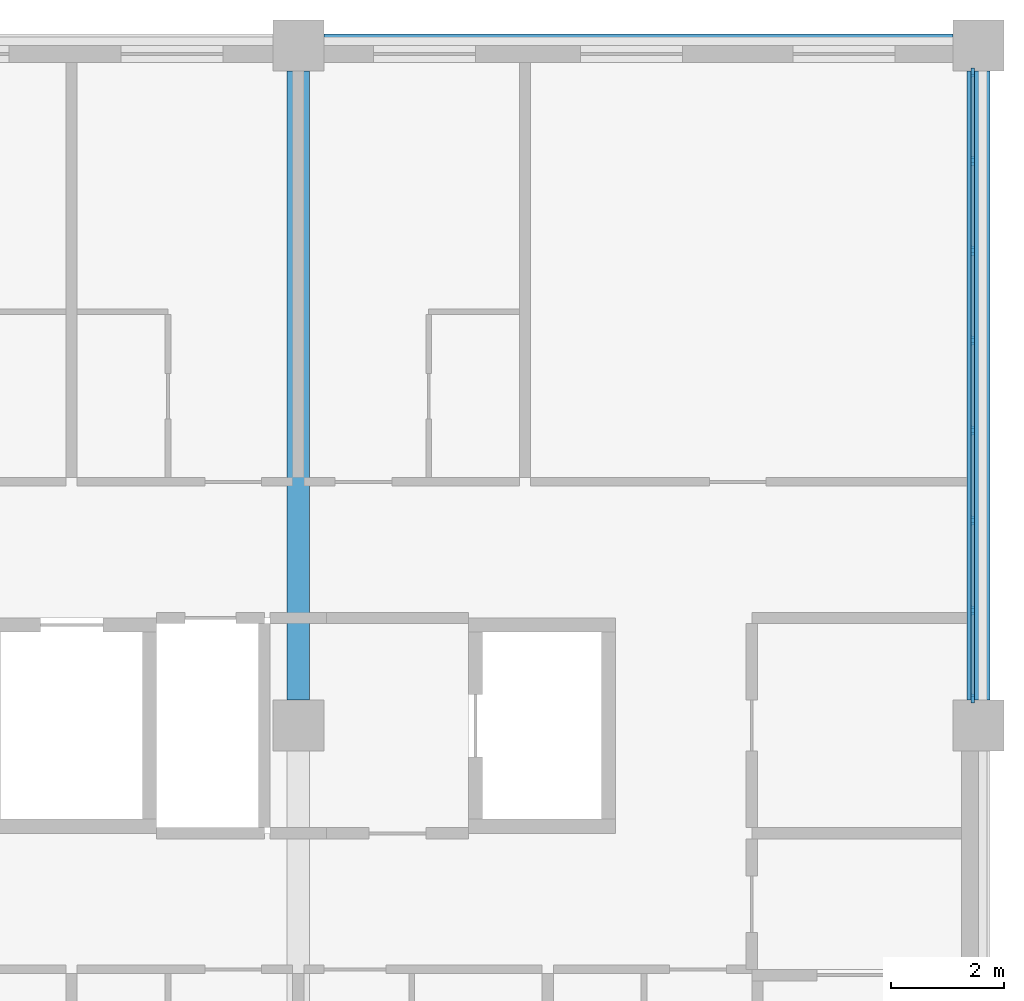
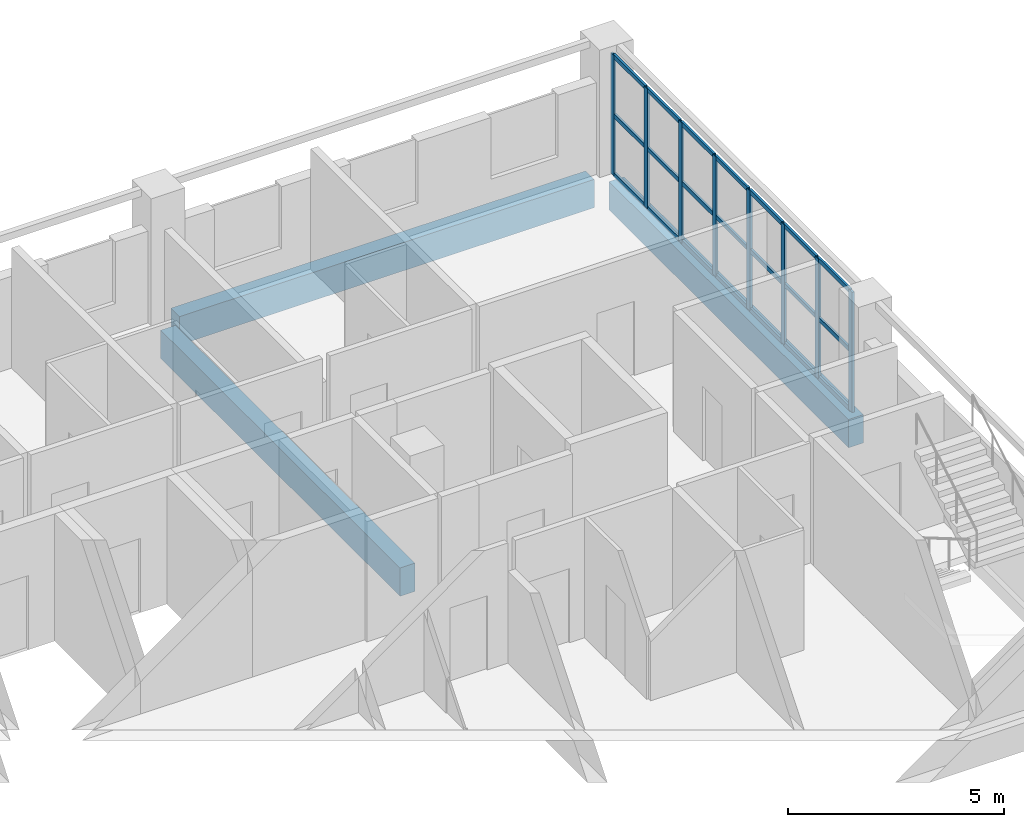
# One storey, part 4 of 11: 29 members, 3 beams, 1 element without a shape of its own.
"""IFC4 building model written with IfcOpenShell, lengths in metres."""

from ifc_helpers import new_model, si_unit, direction, frame, origin, origin_2d, place, context, subcontext, project, spatial, rectangle, extrude, material, layer, layer_set, material_profile, profile_set, type_object, element, aggregate, save


model = new_model("IFC4")

# Units and contexts
model_context = context("Model", 3, precision=1e-05, world=origin(), true_north=direction((0.0, 1.0)))
body_context = subcontext(model_context, "Body", "Model", "MODEL_VIEW")
ifc_project = project(units=[si_unit("LENGTHUNIT", "METRE"), si_unit("AREAUNIT", "SQUARE_METRE"), si_unit("VOLUMEUNIT", "CUBIC_METRE"), si_unit("PLANEANGLEUNIT", "RADIAN"), si_unit("MASSUNIT", "GRAM", prefix="KILO")], contexts=[model_context])

# Site, building, storey
site_placement = place(None, origin())
site = spatial("IfcSite", under=ifc_project, at=site_placement, CompositionType="ELEMENT")
building_placement = place(site_placement, origin())
building = spatial("IfcBuilding", under=site, at=building_placement, Name="Lilac Gate Convention Centre", CompositionType="ELEMENT")
storey_placement = place(building_placement, frame((0.0, 0.0, 24.60009765625)))
storey = spatial("IfcBuildingStorey", under=building, at=storey_placement, Name="L05", CompositionType="ELEMENT", Elevation=24.60009765625)

# Curtain wall, members
ifc_material_1 = material(Name="Aluminium framed double glazing", Category="aluminium")
ifc_layer = layer(ifc_material_1, 0.199951171875)
ifc_layer_set = layer_set([ifc_layer], Name="Aluminium framed double glazing")
curtain_wall_type = type_object("IfcCurtainWallType", Name="Unitised curtain wall 1500", PredefinedType="NOTDEFINED", material=ifc_layer_set)
curtain_wall_placement = place(storey_placement, origin())
curtain_wall = element("IfcCurtainWall", 1, at=curtain_wall_placement, inside=storey, type_object=curtain_wall_type, Name="Curtain wall E L05 2", PredefinedType="NOTDEFINED")
ifc_material_2 = material(Name="Aluminium alloy 6063", Category="aluminium")
ifc_material_profile_1 = material_profile(ifc_material_2, rectangle(XDim=0.06005859375, YDim=0.159912109375, at=origin_2d()), Name="Curtain wall mullion 60 x 160")
ifc_profile_set_1 = profile_set([ifc_material_profile_1], Name="Aluminium alloy 6063")
member_type_1 = type_object("IfcMemberType", Name="Curtain wall mullion 60 x 160", PredefinedType="MULLION", material=ifc_profile_set_1)
member_1_placement = place(storey_placement, frame((89.89990234375, 234.47998046875, 0.0), z_axis=(0.0, 0.0, 1.0), x_axis=(-1.0, 0.0, 0.0)))
member_1 = element("IfcMember", 2, at=member_1_placement, type_object=member_type_1, Name="CW mullion 1", PredefinedType="MULLION", context=body_context, shape_type="SweptSolid", body=[
    extrude(rectangle(XDim=0.06005859375, YDim=0.159912109375, at=origin_2d()), origin(), (0.0, 0.0, 1.0), 3.39990234375),
])
member_2_placement = place(storey_placement, frame((89.89990234375, 236.03564453125, 0.0), z_axis=(0.0, 0.0, 1.0), x_axis=(-1.0, 0.0, 0.0)))
member_2 = element("IfcMember", 3, at=member_2_placement, type_object=member_type_1, Name="CW mullion 2", PredefinedType="MULLION", context=body_context, shape_type="SweptSolid", body=[
    extrude(rectangle(XDim=0.06005859375, YDim=0.159912109375, at=origin_2d()), origin(), (0.0, 0.0, 1.0), 3.39990234375),
])
member_3_placement = place(storey_placement, frame((89.89990234375, 237.621337890625, 0.0), z_axis=(0.0, 0.0, 1.0), x_axis=(-1.0, 0.0, 0.0)))
member_3 = element("IfcMember", 4, at=member_3_placement, type_object=member_type_1, Name="CW mullion 3", PredefinedType="MULLION", context=body_context, shape_type="SweptSolid", body=[
    extrude(rectangle(XDim=0.06005859375, YDim=0.159912109375, at=origin_2d()), origin(), (0.0, 0.0, 1.0), 3.39990234375),
])
member_4_placement = place(storey_placement, frame((89.89990234375, 239.20703125, 0.0), z_axis=(0.0, 0.0, 1.0), x_axis=(-1.0, 0.0, 0.0)))
member_4 = element("IfcMember", 5, at=member_4_placement, type_object=member_type_1, Name="CW mullion 4", PredefinedType="MULLION", context=body_context, shape_type="SweptSolid", body=[
    extrude(rectangle(XDim=0.06005859375, YDim=0.159912109375, at=origin_2d()), origin(), (0.0, 0.0, 1.0), 3.39990234375),
])
member_5_placement = place(storey_placement, frame((89.89990234375, 240.79296875, 0.0), z_axis=(0.0, 0.0, 1.0), x_axis=(-1.0, 0.0, 0.0)))
member_5 = element("IfcMember", 6, at=member_5_placement, type_object=member_type_1, Name="CW mullion 5", PredefinedType="MULLION", context=body_context, shape_type="SweptSolid", body=[
    extrude(rectangle(XDim=0.06005859375, YDim=0.159912109375, at=origin_2d()), origin(), (0.0, 0.0, 1.0), 3.39990234375),
])
member_6_placement = place(storey_placement, frame((89.89990234375, 242.378662109375, 0.0), z_axis=(0.0, 0.0, 1.0), x_axis=(-1.0, 0.0, 0.0)))
member_6 = element("IfcMember", 7, at=member_6_placement, type_object=member_type_1, Name="CW mullion 6", PredefinedType="MULLION", context=body_context, shape_type="SweptSolid", body=[
    extrude(rectangle(XDim=0.06005859375, YDim=0.159912109375, at=origin_2d()), origin(), (0.0, 0.0, 1.0), 3.39990234375),
])
member_7_placement = place(storey_placement, frame((89.89990234375, 243.96435546875, 0.0), z_axis=(0.0, 0.0, 1.0), x_axis=(-1.0, 0.0, 0.0)))
member_7 = element("IfcMember", 8, at=member_7_placement, type_object=member_type_1, Name="CW mullion 7", PredefinedType="MULLION", context=body_context, shape_type="SweptSolid", body=[
    extrude(rectangle(XDim=0.06005859375, YDim=0.159912109375, at=origin_2d()), origin(), (0.0, 0.0, 1.0), 3.39990234375),
])
member_8_placement = place(storey_placement, frame((89.89990234375, 245.52001953125, 0.0), z_axis=(0.0, 0.0, 1.0), x_axis=(-1.0, 0.0, 0.0)))
member_8 = element("IfcMember", 9, at=member_8_placement, type_object=member_type_1, Name="CW mullion 8", PredefinedType="MULLION", context=body_context, shape_type="SweptSolid", body=[
    extrude(rectangle(XDim=0.06005859375, YDim=0.159912109375, at=origin_2d()), origin(), (0.0, 0.0, 1.0), 3.39990234375),
])
ifc_material_profile_2 = material_profile(ifc_material_2, rectangle(XDim=0.06005859375, YDim=0.1201171875, at=origin_2d()), Name="Curtain wall transom 60 x 120")
ifc_profile_set_2 = profile_set([ifc_material_profile_2], Name="Aluminium alloy 6063")
member_type_2 = type_object("IfcMemberType", Name="Curtain wall transom 60 x 120", PredefinedType="USERDEFINED", material=ifc_profile_set_2)
member_9_placement = place(storey_placement, frame((89.89990234375, 234.510009765625, 0.030029296875), z_axis=(0.0, 1.0, 0.0), x_axis=(-1.0, 0.0, 0.0)))
member_9 = element("IfcMember", 10, at=member_9_placement, type_object=member_type_2, Name="CW transom 1.1", ObjectType="TRANSOM", PredefinedType="USERDEFINED", context=body_context, shape_type="SweptSolid", body=[
    extrude(rectangle(XDim=0.06005859375, YDim=0.1201171875, at=origin_2d()), origin(), (0.0, 0.0, 1.0), 1.49560546875),
])
member_10_placement = place(storey_placement, frame((89.89990234375, 234.510009765625, 1.699951171875), z_axis=(0.0, 1.0, 0.0), x_axis=(-1.0, 0.0, 0.0)))
member_10 = element("IfcMember", 11, at=member_10_placement, type_object=member_type_2, Name="CW transom 1.2", ObjectType="TRANSOM", PredefinedType="USERDEFINED", context=body_context, shape_type="SweptSolid", body=[
    extrude(rectangle(XDim=0.06005859375, YDim=0.1201171875, at=origin_2d()), origin(), (0.0, 0.0, 1.0), 1.49560546875),
])
member_11_placement = place(storey_placement, frame((89.89990234375, 234.510009765625, 3.369873046875), z_axis=(0.0, 1.0, 0.0), x_axis=(-1.0, 0.0, 0.0)))
member_11 = element("IfcMember", 12, at=member_11_placement, type_object=member_type_2, Name="CW transom 1.3", ObjectType="TRANSOM", PredefinedType="USERDEFINED", context=body_context, shape_type="SweptSolid", body=[
    extrude(rectangle(XDim=0.06005859375, YDim=0.1201171875, at=origin_2d()), origin(), (0.0, 0.0, 1.0), 1.49560546875),
])
member_12_placement = place(storey_placement, frame((89.89990234375, 236.065673828125, 0.030029296875), z_axis=(0.0, 1.0, 0.0), x_axis=(-1.0, 0.0, 0.0)))
member_12 = element("IfcMember", 13, at=member_12_placement, type_object=member_type_2, Name="CW transom 2.1", ObjectType="TRANSOM", PredefinedType="USERDEFINED", context=body_context, shape_type="SweptSolid", body=[
    extrude(rectangle(XDim=0.06005859375, YDim=0.1201171875, at=origin_2d()), origin(), (0.0, 0.0, 1.0), 1.525634765625),
])
member_13_placement = place(storey_placement, frame((89.89990234375, 236.065673828125, 1.699951171875), z_axis=(0.0, 1.0, 0.0), x_axis=(-1.0, 0.0, 0.0)))
member_13 = element("IfcMember", 14, at=member_13_placement, type_object=member_type_2, Name="CW transom 2.2", ObjectType="TRANSOM", PredefinedType="USERDEFINED", context=body_context, shape_type="SweptSolid", body=[
    extrude(rectangle(XDim=0.06005859375, YDim=0.1201171875, at=origin_2d()), origin(), (0.0, 0.0, 1.0), 1.525634765625),
])
member_14_placement = place(storey_placement, frame((89.89990234375, 236.065673828125, 3.369873046875), z_axis=(0.0, 1.0, 0.0), x_axis=(-1.0, 0.0, 0.0)))
member_14 = element("IfcMember", 15, at=member_14_placement, type_object=member_type_2, Name="CW transom 2.3", ObjectType="TRANSOM", PredefinedType="USERDEFINED", context=body_context, shape_type="SweptSolid", body=[
    extrude(rectangle(XDim=0.06005859375, YDim=0.1201171875, at=origin_2d()), origin(), (0.0, 0.0, 1.0), 1.525634765625),
])
member_15_placement = place(storey_placement, frame((89.89990234375, 237.6513671875, 0.030029296875), z_axis=(0.0, 1.0, 0.0), x_axis=(-1.0, 0.0, 0.0)))
member_15 = element("IfcMember", 16, at=member_15_placement, type_object=member_type_2, Name="CW transom 3.1", ObjectType="TRANSOM", PredefinedType="USERDEFINED", context=body_context, shape_type="SweptSolid", body=[
    extrude(rectangle(XDim=0.06005859375, YDim=0.1201171875, at=origin_2d()), origin(), (0.0, 0.0, 1.0), 1.52587890625),
])
member_16_placement = place(storey_placement, frame((89.89990234375, 237.6513671875, 1.699951171875), z_axis=(0.0, 1.0, 0.0), x_axis=(-1.0, 0.0, 0.0)))
member_16 = element("IfcMember", 17, at=member_16_placement, type_object=member_type_2, Name="CW transom 3.2", ObjectType="TRANSOM", PredefinedType="USERDEFINED", context=body_context, shape_type="SweptSolid", body=[
    extrude(rectangle(XDim=0.06005859375, YDim=0.1201171875, at=origin_2d()), origin(), (0.0, 0.0, 1.0), 1.52587890625),
])
member_17_placement = place(storey_placement, frame((89.89990234375, 237.6513671875, 3.369873046875), z_axis=(0.0, 1.0, 0.0), x_axis=(-1.0, 0.0, 0.0)))
member_17 = element("IfcMember", 18, at=member_17_placement, type_object=member_type_2, Name="CW transom 3.3", ObjectType="TRANSOM", PredefinedType="USERDEFINED", context=body_context, shape_type="SweptSolid", body=[
    extrude(rectangle(XDim=0.06005859375, YDim=0.1201171875, at=origin_2d()), origin(), (0.0, 0.0, 1.0), 1.52587890625),
])
member_18_placement = place(storey_placement, frame((89.89990234375, 239.237060546875, 0.030029296875), z_axis=(0.0, 1.0, 0.0), x_axis=(-1.0, 0.0, 0.0)))
member_18 = element("IfcMember", 19, at=member_18_placement, type_object=member_type_2, Name="CW transom 4.1", ObjectType="TRANSOM", PredefinedType="USERDEFINED", context=body_context, shape_type="SweptSolid", body=[
    extrude(rectangle(XDim=0.06005859375, YDim=0.1201171875, at=origin_2d()), origin(), (0.0, 0.0, 1.0), 1.52587890625),
])
member_19_placement = place(storey_placement, frame((89.89990234375, 239.237060546875, 1.699951171875), z_axis=(0.0, 1.0, 0.0), x_axis=(-1.0, 0.0, 0.0)))
member_19 = element("IfcMember", 20, at=member_19_placement, type_object=member_type_2, Name="CW transom 4.2", ObjectType="TRANSOM", PredefinedType="USERDEFINED", context=body_context, shape_type="SweptSolid", body=[
    extrude(rectangle(XDim=0.06005859375, YDim=0.1201171875, at=origin_2d()), origin(), (0.0, 0.0, 1.0), 1.52587890625),
])
member_20_placement = place(storey_placement, frame((89.89990234375, 239.237060546875, 3.369873046875), z_axis=(0.0, 1.0, 0.0), x_axis=(-1.0, 0.0, 0.0)))
member_20 = element("IfcMember", 21, at=member_20_placement, type_object=member_type_2, Name="CW transom 4.3", ObjectType="TRANSOM", PredefinedType="USERDEFINED", context=body_context, shape_type="SweptSolid", body=[
    extrude(rectangle(XDim=0.06005859375, YDim=0.1201171875, at=origin_2d()), origin(), (0.0, 0.0, 1.0), 1.52587890625),
])
member_21_placement = place(storey_placement, frame((89.89990234375, 240.82275390625, 0.030029296875), z_axis=(0.0, 1.0, 0.0), x_axis=(-1.0, 0.0, 0.0)))
member_21 = element("IfcMember", 22, at=member_21_placement, type_object=member_type_2, Name="CW transom 5.1", ObjectType="TRANSOM", PredefinedType="USERDEFINED", context=body_context, shape_type="SweptSolid", body=[
    extrude(rectangle(XDim=0.06005859375, YDim=0.1201171875, at=origin_2d()), origin(), (0.0, 0.0, 1.0), 1.52587890625),
])
member_22_placement = place(storey_placement, frame((89.89990234375, 240.82275390625, 1.699951171875), z_axis=(0.0, 1.0, 0.0), x_axis=(-1.0, 0.0, 0.0)))
member_22 = element("IfcMember", 23, at=member_22_placement, type_object=member_type_2, Name="CW transom 5.2", ObjectType="TRANSOM", PredefinedType="USERDEFINED", context=body_context, shape_type="SweptSolid", body=[
    extrude(rectangle(XDim=0.06005859375, YDim=0.1201171875, at=origin_2d()), origin(), (0.0, 0.0, 1.0), 1.52587890625),
])
member_23_placement = place(storey_placement, frame((89.89990234375, 240.82275390625, 3.369873046875), z_axis=(0.0, 1.0, 0.0), x_axis=(-1.0, 0.0, 0.0)))
member_23 = element("IfcMember", 24, at=member_23_placement, type_object=member_type_2, Name="CW transom 5.3", ObjectType="TRANSOM", PredefinedType="USERDEFINED", context=body_context, shape_type="SweptSolid", body=[
    extrude(rectangle(XDim=0.06005859375, YDim=0.1201171875, at=origin_2d()), origin(), (0.0, 0.0, 1.0), 1.52587890625),
])
member_24_placement = place(storey_placement, frame((89.89990234375, 242.40869140625, 0.030029296875), z_axis=(0.0, 1.0, 0.0), x_axis=(-1.0, 0.0, 0.0)))
member_24 = element("IfcMember", 25, at=member_24_placement, type_object=member_type_2, Name="CW transom 6.1", ObjectType="TRANSOM", PredefinedType="USERDEFINED", context=body_context, shape_type="SweptSolid", body=[
    extrude(rectangle(XDim=0.06005859375, YDim=0.1201171875, at=origin_2d()), origin(), (0.0, 0.0, 1.0), 1.525634765625),
])
member_25_placement = place(storey_placement, frame((89.89990234375, 242.40869140625, 1.699951171875), z_axis=(0.0, 1.0, 0.0), x_axis=(-1.0, 0.0, 0.0)))
member_25 = element("IfcMember", 26, at=member_25_placement, type_object=member_type_2, Name="CW transom 6.2", ObjectType="TRANSOM", PredefinedType="USERDEFINED", context=body_context, shape_type="SweptSolid", body=[
    extrude(rectangle(XDim=0.06005859375, YDim=0.1201171875, at=origin_2d()), origin(), (0.0, 0.0, 1.0), 1.525634765625),
])
member_26_placement = place(storey_placement, frame((89.89990234375, 242.40869140625, 3.369873046875), z_axis=(0.0, 1.0, 0.0), x_axis=(-1.0, 0.0, 0.0)))
member_26 = element("IfcMember", 27, at=member_26_placement, type_object=member_type_2, Name="CW transom 6.3", ObjectType="TRANSOM", PredefinedType="USERDEFINED", context=body_context, shape_type="SweptSolid", body=[
    extrude(rectangle(XDim=0.06005859375, YDim=0.1201171875, at=origin_2d()), origin(), (0.0, 0.0, 1.0), 1.525634765625),
])
member_27_placement = place(storey_placement, frame((89.89990234375, 243.994384765625, 0.030029296875), z_axis=(0.0, 1.0, 0.0), x_axis=(-1.0, 0.0, 0.0)))
member_27 = element("IfcMember", 28, at=member_27_placement, type_object=member_type_2, Name="CW transom 7.1", ObjectType="TRANSOM", PredefinedType="USERDEFINED", context=body_context, shape_type="SweptSolid", body=[
    extrude(rectangle(XDim=0.06005859375, YDim=0.1201171875, at=origin_2d()), origin(), (0.0, 0.0, 1.0), 1.49560546875),
])
member_28_placement = place(storey_placement, frame((89.89990234375, 243.994384765625, 1.699951171875), z_axis=(0.0, 1.0, 0.0), x_axis=(-1.0, 0.0, 0.0)))
member_28 = element("IfcMember", 29, at=member_28_placement, type_object=member_type_2, Name="CW transom 7.2", ObjectType="TRANSOM", PredefinedType="USERDEFINED", context=body_context, shape_type="SweptSolid", body=[
    extrude(rectangle(XDim=0.06005859375, YDim=0.1201171875, at=origin_2d()), origin(), (0.0, 0.0, 1.0), 1.49560546875),
])
member_29_placement = place(storey_placement, frame((89.89990234375, 243.994384765625, 3.369873046875), z_axis=(0.0, 1.0, 0.0), x_axis=(-1.0, 0.0, 0.0)))
member_29 = element("IfcMember", 30, at=member_29_placement, type_object=member_type_2, Name="CW transom 7.3", ObjectType="TRANSOM", PredefinedType="USERDEFINED", context=body_context, shape_type="SweptSolid", body=[
    extrude(rectangle(XDim=0.06005859375, YDim=0.1201171875, at=origin_2d()), origin(), (0.0, 0.0, 1.0), 1.49560546875),
])
aggregate(curtain_wall, [member_1, member_2, member_3, member_4, member_5, member_6, member_7, member_8, member_9, member_10, member_11, member_12, member_13, member_14, member_15, member_16, member_17, member_18, member_19, member_20, member_21, member_22, member_23, member_24, member_25, member_26, member_27, member_28, member_29])

# Beams
ifc_material_3 = material(Name="Concrete C40", Category="concrete")
ifc_material_profile_3 = material_profile(ifc_material_3, rectangle(XDim=0.39990234375, YDim=0.800048828125, at=origin_2d()), Name="RC 400x800")
ifc_profile_set_3 = profile_set([ifc_material_profile_3], Name="Concrete C40")
beam_type = type_object("IfcBeamType", Name="Tower primary beam 400x800 C40", PredefinedType="BEAM", material=ifc_profile_set_3)
for number, where, z_axis, x_axis, name in (
    (31, (78.449951171875, 246.0, -0.60009765625), (1.0, 0.0, 0.0), (0.0, 1.0, 0.0), "RB3 L05 7/U-8/U"),
    (32, (78.0, 234.449951171875, -0.60009765625), (0.0, 1.0, 0.0), (-1.0, 0.0, 0.0), "RB3 L05 7/T-7/U"),
    (33, (90.0, 234.449951171875, -0.60009765625), (0.0, 1.0, 0.0), (-1.0, 0.0, 0.0), "RB3 L05 8/T-8/U"),
):
    element("IfcBeam", number, at=place(storey_placement, frame(where, z_axis=z_axis, x_axis=x_axis)), inside=storey, type_object=beam_type, Name=name, PredefinedType="BEAM", context=body_context, shape_type="SweptSolid", body=[
        extrude(rectangle(XDim=0.39990234375, YDim=0.800048828125, at=origin_2d()), origin(), (0.0, 0.0, 1.0), 11.10009765625),
    ])

save(model, "model.ifc")
